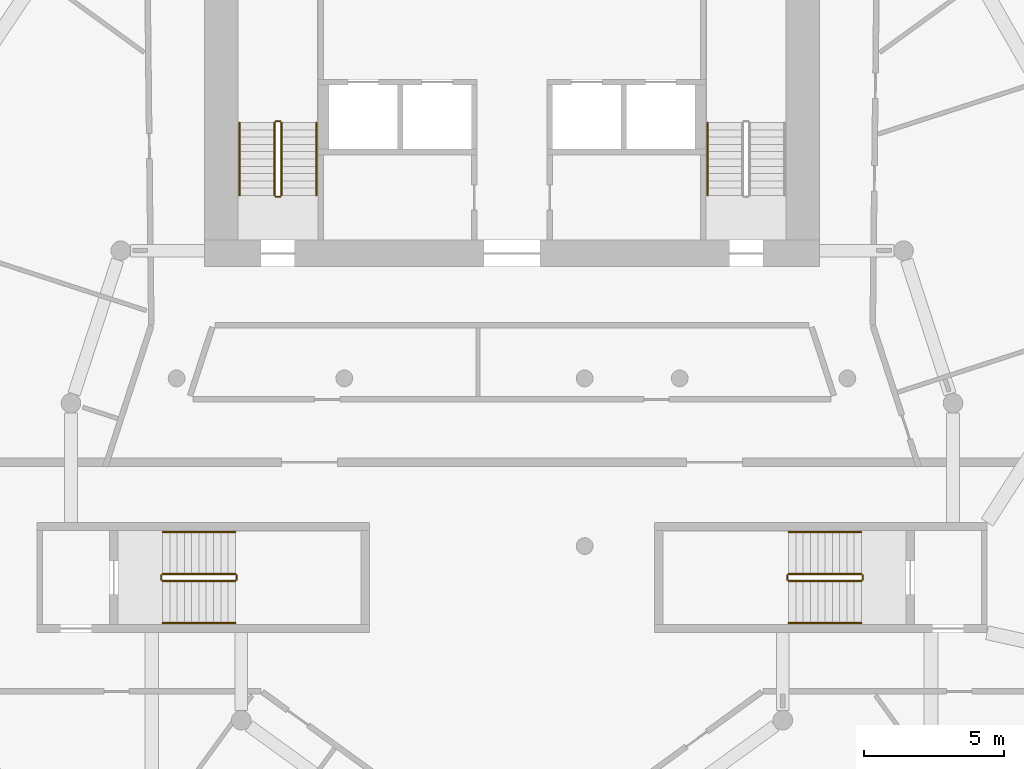
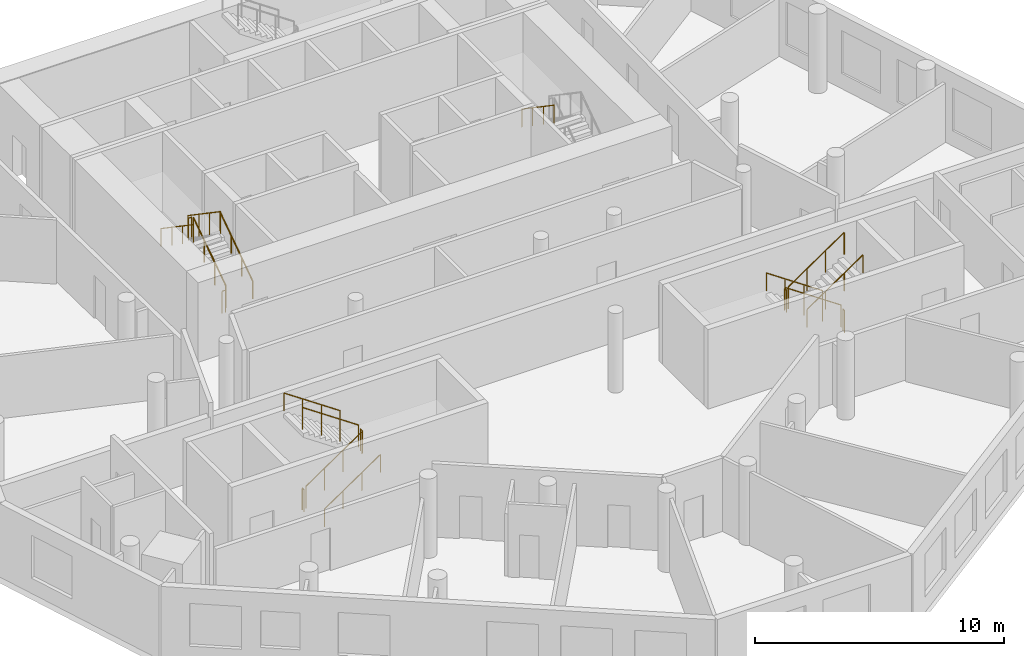
# One storey, part 7 of 8: 19 railings.
"""IFC4 building model written with IfcOpenShell, lengths in metres."""

from ifc_helpers import new_model, si_unit, direction, frame, origin, origin_2d, place, context, subcontext, project, spatial, circle, extrude, material, type_object, element, save


model = new_model("IFC4")

# Units and contexts
model_context = context("Model", 3, precision=1e-05, world=origin(), true_north=direction((0.0, 1.0)))
body_context = subcontext(model_context, "Body", "Model", "MODEL_VIEW")
ifc_project = project(units=[si_unit("LENGTHUNIT", "METRE"), si_unit("AREAUNIT", "SQUARE_METRE"), si_unit("VOLUMEUNIT", "CUBIC_METRE"), si_unit("PLANEANGLEUNIT", "RADIAN"), si_unit("MASSUNIT", "GRAM", prefix="KILO")], contexts=[model_context])

# Site, building, storey
site_placement = place(None, origin())
site = spatial("IfcSite", under=ifc_project, at=site_placement, CompositionType="ELEMENT")
building_placement = place(site_placement, origin())
building = spatial("IfcBuilding", under=site, at=building_placement, Name="White Candle Pilgrim Tower", CompositionType="ELEMENT")
storey_placement = place(building_placement, frame((0.0, 0.0, 156.39990234375)))
storey = spatial("IfcBuildingStorey", under=building, at=storey_placement, Name="L35", CompositionType="ELEMENT", Elevation=156.39990234375)

# Railings
ifc_material = material(Name="Stainless steel", Category="steel")
railing_type_1 = type_object("IfcRailingType", Name="Stair guard stainless steel 1100 mm", PredefinedType="GUARDRAIL", material=ifc_material)
railing_1_placement = place(storey_placement, frame((61.75, 73.550048828125, 0.177490234375)))
element("IfcRailing", 1, at=railing_1_placement, inside=storey, type_object=railing_type_1, Name="L35 ST1 stair guard 1", PredefinedType="GUARDRAIL", context=body_context, shape_type="SweptSolid", body=[
    extrude(circle(Radius=0.02392578125, at=origin_2d()), frame((0.0, 0.0, 1.076171875), z_axis=(0.0, 0.826215852431, 0.563353676824), x_axis=(-1.0, 0.0, 0.0)), (0.0, 0.0, 1.0), 3.146728515625),
    extrude(circle(Radius=0.02099609375, at=origin_2d()), origin(), (0.0, 0.0, 1.0), 1.052001953125),
    extrude(circle(Radius=0.02099609375, at=origin_2d()), frame((0.0, 0.86669921875, 0.5908203125)), (0.0, 0.0, 1.0), 1.052001953125),
    extrude(circle(Radius=0.02099609375, at=origin_2d()), frame((0.0, 1.733154296875, 1.181884765625)), (0.0, 0.0, 1.0), 1.052001953125),
    extrude(circle(Radius=0.02099609375, at=origin_2d()), frame((0.0, 2.599853515625, 1.772705078125)), (0.0, 0.0, 1.0), 1.052001953125),
])
railing_2_placement = place(storey_placement, frame((61.699951171875, 76.199951171875, 1.9501953125)))
element("IfcRailing", 2, at=railing_2_placement, inside=storey, type_object=railing_type_1, Name="L35 ST1 stair guard 2", PredefinedType="GUARDRAIL", context=body_context, shape_type="SweptSolid", body=[
    extrude(circle(Radius=0.02392578125, at=origin_2d()), frame((0.0, 0.0, 1.076171875), z_axis=(-1.0, 0.0, 0.0), x_axis=(0.0, -1.0, 0.0)), (0.0, 0.0, 1.0), 0.14990234375),
    extrude(circle(Radius=0.02099609375, at=origin_2d()), origin(), (0.0, 0.0, 1.0), 1.052001953125),
    extrude(circle(Radius=0.02099609375, at=origin_2d()), frame((-0.14990234375, 0.0, 0.0)), (0.0, 0.0, 1.0), 1.052001953125),
])
railing_3_placement = place(storey_placement, frame((61.5, 76.14990234375, 2.12744140625)))
element("IfcRailing", 3, at=railing_3_placement, inside=storey, type_object=railing_type_1, Name="L35 ST1 stair guard 3", PredefinedType="GUARDRAIL", context=body_context, shape_type="SweptSolid", body=[
    extrude(circle(Radius=0.02392578125, at=origin_2d()), frame((0.0, 0.0, 1.076171875), z_axis=(0.0, -0.826215852431, 0.563353676824), x_axis=(1.0, 0.0, 0.0)), (0.0, 0.0, 1.0), 3.146728515625),
    extrude(circle(Radius=0.02099609375, at=origin_2d()), origin(), (0.0, 0.0, 1.0), 1.052001953125),
    extrude(circle(Radius=0.02099609375, at=origin_2d()), frame((0.0, -0.86669921875, 0.5908203125)), (0.0, 0.0, 1.0), 1.052001953125),
    extrude(circle(Radius=0.02099609375, at=origin_2d()), frame((0.0, -1.733154296875, 1.181884765625)), (0.0, 0.0, 1.0), 1.052001953125),
    extrude(circle(Radius=0.02099609375, at=origin_2d()), frame((0.0, -2.599853515625, 1.772705078125)), (0.0, 0.0, 1.0), 1.052001953125),
])
railing_4_placement = place(storey_placement, frame((61.699951171875, 73.5, 0.0)))
element("IfcRailing", 4, at=railing_4_placement, inside=storey, type_object=railing_type_1, Name="L35 ST1 stair guard 4", PredefinedType="GUARDRAIL", context=body_context, shape_type="SweptSolid", body=[
    extrude(circle(Radius=0.02392578125, at=origin_2d()), frame((0.0, 0.0, 1.076171875), z_axis=(-1.0, 0.0, 0.0), x_axis=(0.0, -1.0, 0.0)), (0.0, 0.0, 1.0), 0.14990234375),
    extrude(circle(Radius=0.02099609375, at=origin_2d()), origin(), (0.0, 0.0, 1.0), 1.052001953125),
    extrude(circle(Radius=0.02099609375, at=origin_2d()), frame((-0.14990234375, 0.0, 0.0)), (0.0, 0.0, 1.0), 1.052001953125),
])
railing_5_placement = place(storey_placement, frame((82.5, 60.0, 0.177490234375)))
element("IfcRailing", 5, at=railing_5_placement, inside=storey, type_object=railing_type_1, Name="L35 ST4 stair guard 1", PredefinedType="GUARDRAIL", context=body_context, shape_type="SweptSolid", body=[
    extrude(circle(Radius=0.02392578125, at=origin_2d()), frame((0.0, 0.0, 1.076171875), z_axis=(-0.826240473404, 0.0, 0.563317565952), x_axis=(0.0, -1.0, 0.0)), (0.0, 0.0, 1.0), 3.14697265625),
    extrude(circle(Radius=0.02099609375, at=origin_2d()), origin(), (0.0, 0.0, 1.0), 1.052001953125),
    extrude(circle(Radius=0.02099609375, at=origin_2d()), frame((-0.86669921875, 0.0, 0.5908203125)), (0.0, 0.0, 1.0), 1.052001953125),
    extrude(circle(Radius=0.02099609375, at=origin_2d()), frame((-1.7333984375, 0.0, 1.181884765625)), (0.0, 0.0, 1.0), 1.052001953125),
    extrude(circle(Radius=0.02099609375, at=origin_2d()), frame((-2.60009765625, 0.0, 1.772705078125)), (0.0, 0.0, 1.0), 1.052001953125),
])
railing_6_placement = place(storey_placement, frame((79.85009765625, 59.949951171875, 1.9501953125)))
element("IfcRailing", 6, at=railing_6_placement, inside=storey, type_object=railing_type_1, Name="L35 ST4 stair guard 2", PredefinedType="GUARDRAIL", context=body_context, shape_type="SweptSolid", body=[
    extrude(circle(Radius=0.02392578125, at=origin_2d()), frame((0.0, 0.0, 1.076171875), z_axis=(0.0, -1.0, 0.0), x_axis=(1.0, 0.0, 0.0)), (0.0, 0.0, 1.0), 0.14990234375),
    extrude(circle(Radius=0.02099609375, at=origin_2d()), origin(), (0.0, 0.0, 1.0), 1.052001953125),
    extrude(circle(Radius=0.02099609375, at=origin_2d()), frame((0.0, -0.14990234375, 0.0)), (0.0, 0.0, 1.0), 1.052001953125),
])
railing_7_placement = place(storey_placement, frame((79.89990234375, 59.75, 2.12744140625)))
element("IfcRailing", 7, at=railing_7_placement, inside=storey, type_object=railing_type_1, Name="L35 ST4 stair guard 3", PredefinedType="GUARDRAIL", context=body_context, shape_type="SweptSolid", body=[
    extrude(circle(Radius=0.02392578125, at=origin_2d()), frame((0.0, 0.0, 1.076171875), z_axis=(0.826240473404, 0.0, 0.563317565952), x_axis=(0.0, 1.0, 0.0)), (0.0, 0.0, 1.0), 3.14697265625),
    extrude(circle(Radius=0.02099609375, at=origin_2d()), origin(), (0.0, 0.0, 1.0), 1.052001953125),
    extrude(circle(Radius=0.02099609375, at=origin_2d()), frame((0.86669921875, 0.0, 0.5908203125)), (0.0, 0.0, 1.0), 1.052001953125),
    extrude(circle(Radius=0.02099609375, at=origin_2d()), frame((1.7333984375, 0.0, 1.181884765625)), (0.0, 0.0, 1.0), 1.052001953125),
    extrude(circle(Radius=0.02099609375, at=origin_2d()), frame((2.60009765625, 0.0, 1.772705078125)), (0.0, 0.0, 1.0), 1.052001953125),
])
railing_8_placement = place(storey_placement, frame((82.550048828125, 59.949951171875, 0.0)))
element("IfcRailing", 8, at=railing_8_placement, inside=storey, type_object=railing_type_1, Name="L35 ST4 stair guard 4", PredefinedType="GUARDRAIL", context=body_context, shape_type="SweptSolid", body=[
    extrude(circle(Radius=0.02392578125, at=origin_2d()), frame((0.0, 0.0, 1.076171875), z_axis=(0.0, -1.0, 0.0), x_axis=(1.0, 0.0, 0.0)), (0.0, 0.0, 1.0), 0.14990234375),
    extrude(circle(Radius=0.02099609375, at=origin_2d()), origin(), (0.0, 0.0, 1.0), 1.052001953125),
    extrude(circle(Radius=0.02099609375, at=origin_2d()), frame((0.0, -0.14990234375, 0.0)), (0.0, 0.0, 1.0), 1.052001953125),
])
railing_9_placement = place(storey_placement, frame((57.5, 59.75, 0.177490234375)))
element("IfcRailing", 9, at=railing_9_placement, inside=storey, type_object=railing_type_1, Name="L35 ST5 stair guard 1", PredefinedType="GUARDRAIL", context=body_context, shape_type="SweptSolid", body=[
    extrude(circle(Radius=0.02392578125, at=origin_2d()), frame((0.0, 0.0, 1.076171875), z_axis=(0.826240473404, 0.0, 0.563317565952), x_axis=(0.0, 1.0, 0.0)), (0.0, 0.0, 1.0), 3.14697265625),
    extrude(circle(Radius=0.02099609375, at=origin_2d()), origin(), (0.0, 0.0, 1.0), 1.052001953125),
    extrude(circle(Radius=0.02099609375, at=origin_2d()), frame((0.86669921875, 0.0, 0.5908203125)), (0.0, 0.0, 1.0), 1.052001953125),
    extrude(circle(Radius=0.02099609375, at=origin_2d()), frame((1.7333984375, 0.0, 1.181884765625)), (0.0, 0.0, 1.0), 1.052001953125),
    extrude(circle(Radius=0.02099609375, at=origin_2d()), frame((2.60009765625, 0.0, 1.772705078125)), (0.0, 0.0, 1.0), 1.052001953125),
])
railing_10_placement = place(storey_placement, frame((60.14990234375, 59.800048828125, 1.9501953125)))
element("IfcRailing", 10, at=railing_10_placement, inside=storey, type_object=railing_type_1, Name="L35 ST5 stair guard 2", PredefinedType="GUARDRAIL", context=body_context, shape_type="SweptSolid", body=[
    extrude(circle(Radius=0.02392578125, at=origin_2d()), frame((0.0, 0.0, 1.076171875), z_axis=(0.0, 1.0, 0.0), x_axis=(-1.0, 0.0, 0.0)), (0.0, 0.0, 1.0), 0.14990234375),
    extrude(circle(Radius=0.02099609375, at=origin_2d()), origin(), (0.0, 0.0, 1.0), 1.052001953125),
    extrude(circle(Radius=0.02099609375, at=origin_2d()), frame((0.0, 0.14990234375, 0.0)), (0.0, 0.0, 1.0), 1.052001953125),
])
railing_11_placement = place(storey_placement, frame((60.10009765625, 60.0, 2.12744140625)))
element("IfcRailing", 11, at=railing_11_placement, inside=storey, type_object=railing_type_1, Name="L35 ST5 stair guard 3", PredefinedType="GUARDRAIL", context=body_context, shape_type="SweptSolid", body=[
    extrude(circle(Radius=0.02392578125, at=origin_2d()), frame((0.0, 0.0, 1.076171875), z_axis=(-0.826240473404, 0.0, 0.563317565952), x_axis=(0.0, -1.0, 0.0)), (0.0, 0.0, 1.0), 3.14697265625),
    extrude(circle(Radius=0.02099609375, at=origin_2d()), origin(), (0.0, 0.0, 1.0), 1.052001953125),
    extrude(circle(Radius=0.02099609375, at=origin_2d()), frame((-0.86669921875, 0.0, 0.5908203125)), (0.0, 0.0, 1.0), 1.052001953125),
    extrude(circle(Radius=0.02099609375, at=origin_2d()), frame((-1.7333984375, 0.0, 1.181884765625)), (0.0, 0.0, 1.0), 1.052001953125),
    extrude(circle(Radius=0.02099609375, at=origin_2d()), frame((-2.60009765625, 0.0, 1.772705078125)), (0.0, 0.0, 1.0), 1.052001953125),
])
railing_12_placement = place(storey_placement, frame((57.449951171875, 59.800048828125, 0.0)))
element("IfcRailing", 12, at=railing_12_placement, inside=storey, type_object=railing_type_1, Name="L35 ST5 stair guard 4", PredefinedType="GUARDRAIL", context=body_context, shape_type="SweptSolid", body=[
    extrude(circle(Radius=0.02392578125, at=origin_2d()), frame((0.0, 0.0, 1.076171875), z_axis=(0.0, 1.0, 0.0), x_axis=(-1.0, 0.0, 0.0)), (0.0, 0.0, 1.0), 0.14990234375),
    extrude(circle(Radius=0.02099609375, at=origin_2d()), origin(), (0.0, 0.0, 1.0), 1.052001953125),
    extrude(circle(Radius=0.02099609375, at=origin_2d()), frame((0.0, 0.14990234375, 0.0)), (0.0, 0.0, 1.0), 1.052001953125),
])
railing_type_2 = type_object("IfcRailingType", Name="Stair handrail stainless steel", PredefinedType="HANDRAIL", material=ifc_material)
railing_13_placement = place(storey_placement, frame((63.0, 73.550048828125, 0.177490234375)))
element("IfcRailing", 13, at=railing_13_placement, inside=storey, type_object=railing_type_2, Name="L35 ST1 stair handrail 1", PredefinedType="HANDRAIL", context=body_context, shape_type="SweptSolid", body=[
    extrude(circle(Radius=0.02392578125, at=origin_2d()), frame((0.0, 0.0, 0.8759765625), z_axis=(0.0, 0.826215852431, 0.563353676824), x_axis=(-1.0, 0.0, 0.0)), (0.0, 0.0, 1.0), 3.146728515625),
    extrude(circle(Radius=0.02099609375, at=origin_2d()), origin(), (0.0, 0.0, 1.0), 0.851806640625),
    extrude(circle(Radius=0.02099609375, at=origin_2d()), frame((0.0, 0.86669921875, 0.5908203125)), (0.0, 0.0, 1.0), 0.851806640625),
    extrude(circle(Radius=0.02099609375, at=origin_2d()), frame((0.0, 1.733154296875, 1.181884765625)), (0.0, 0.0, 1.0), 0.851806640625),
    extrude(circle(Radius=0.02099609375, at=origin_2d()), frame((0.0, 2.599853515625, 1.772705078125)), (0.0, 0.0, 1.0), 0.851806640625),
])
for number, where, name in (
    (14, (60.25, 76.14990234375, 2.12744140625), "L35 ST1 stair handrail 2"),
    (15, (77.0, 76.14990234375, 2.12744140625), "L35 ST2 stair handrail 2"),
):
    element("IfcRailing", number, at=place(storey_placement, frame(where)), inside=storey, type_object=railing_type_2, Name=name, PredefinedType="HANDRAIL", context=body_context, shape_type="SweptSolid", body=[
        extrude(circle(Radius=0.02392578125, at=origin_2d()), frame((0.0, 0.0, 0.8759765625), z_axis=(0.0, -0.826215852431, 0.563353676824), x_axis=(1.0, 0.0, 0.0)), (0.0, 0.0, 1.0), 3.146728515625),
        extrude(circle(Radius=0.02099609375, at=origin_2d()), origin(), (0.0, 0.0, 1.0), 0.851806640625),
        extrude(circle(Radius=0.02099609375, at=origin_2d()), frame((0.0, -0.86669921875, 0.5908203125)), (0.0, 0.0, 1.0), 0.851806640625),
        extrude(circle(Radius=0.02099609375, at=origin_2d()), frame((0.0, -1.733154296875, 1.181884765625)), (0.0, 0.0, 1.0), 0.851806640625),
        extrude(circle(Radius=0.02099609375, at=origin_2d()), frame((0.0, -2.599853515625, 1.772705078125)), (0.0, 0.0, 1.0), 0.851806640625),
    ])
railing_14_placement = place(storey_placement, frame((82.5, 61.5, 0.177490234375)))
element("IfcRailing", 16, at=railing_14_placement, inside=storey, type_object=railing_type_2, Name="L35 ST4 stair handrail 1", PredefinedType="HANDRAIL", context=body_context, shape_type="SweptSolid", body=[
    extrude(circle(Radius=0.02392578125, at=origin_2d()), frame((0.0, 0.0, 0.8759765625), z_axis=(-0.826240473404, 0.0, 0.563317565952), x_axis=(0.0, -1.0, 0.0)), (0.0, 0.0, 1.0), 3.14697265625),
    extrude(circle(Radius=0.02099609375, at=origin_2d()), origin(), (0.0, 0.0, 1.0), 0.851806640625),
    extrude(circle(Radius=0.02099609375, at=origin_2d()), frame((-0.86669921875, 0.0, 0.5908203125)), (0.0, 0.0, 1.0), 0.851806640625),
    extrude(circle(Radius=0.02099609375, at=origin_2d()), frame((-1.7333984375, 0.0, 1.181884765625)), (0.0, 0.0, 1.0), 0.851806640625),
    extrude(circle(Radius=0.02099609375, at=origin_2d()), frame((-2.60009765625, 0.0, 1.772705078125)), (0.0, 0.0, 1.0), 0.851806640625),
])
for number, where, name in (
    (17, (79.89990234375, 58.25, 2.12744140625), "L35 ST4 stair handrail 2"),
    (18, (57.5, 58.25, 0.177490234375), "L35 ST5 stair handrail 1"),
):
    element("IfcRailing", number, at=place(storey_placement, frame(where)), inside=storey, type_object=railing_type_2, Name=name, PredefinedType="HANDRAIL", context=body_context, shape_type="SweptSolid", body=[
        extrude(circle(Radius=0.02392578125, at=origin_2d()), frame((0.0, 0.0, 0.8759765625), z_axis=(0.826240473404, 0.0, 0.563317565952), x_axis=(0.0, 1.0, 0.0)), (0.0, 0.0, 1.0), 3.14697265625),
        extrude(circle(Radius=0.02099609375, at=origin_2d()), origin(), (0.0, 0.0, 1.0), 0.851806640625),
        extrude(circle(Radius=0.02099609375, at=origin_2d()), frame((0.86669921875, 0.0, 0.5908203125)), (0.0, 0.0, 1.0), 0.851806640625),
        extrude(circle(Radius=0.02099609375, at=origin_2d()), frame((1.7333984375, 0.0, 1.181884765625)), (0.0, 0.0, 1.0), 0.851806640625),
        extrude(circle(Radius=0.02099609375, at=origin_2d()), frame((2.60009765625, 0.0, 1.772705078125)), (0.0, 0.0, 1.0), 0.851806640625),
    ])
railing_15_placement = place(storey_placement, frame((60.10009765625, 61.5, 2.12744140625)))
element("IfcRailing", 19, at=railing_15_placement, inside=storey, type_object=railing_type_2, Name="L35 ST5 stair handrail 2", PredefinedType="HANDRAIL", context=body_context, shape_type="SweptSolid", body=[
    extrude(circle(Radius=0.02392578125, at=origin_2d()), frame((0.0, 0.0, 0.8759765625), z_axis=(-0.826240473404, 0.0, 0.563317565952), x_axis=(0.0, -1.0, 0.0)), (0.0, 0.0, 1.0), 3.14697265625),
    extrude(circle(Radius=0.02099609375, at=origin_2d()), origin(), (0.0, 0.0, 1.0), 0.851806640625),
    extrude(circle(Radius=0.02099609375, at=origin_2d()), frame((-0.86669921875, 0.0, 0.5908203125)), (0.0, 0.0, 1.0), 0.851806640625),
    extrude(circle(Radius=0.02099609375, at=origin_2d()), frame((-1.7333984375, 0.0, 1.181884765625)), (0.0, 0.0, 1.0), 0.851806640625),
    extrude(circle(Radius=0.02099609375, at=origin_2d()), frame((-2.60009765625, 0.0, 1.772705078125)), (0.0, 0.0, 1.0), 0.851806640625),
])

save(model, "model.ifc")
